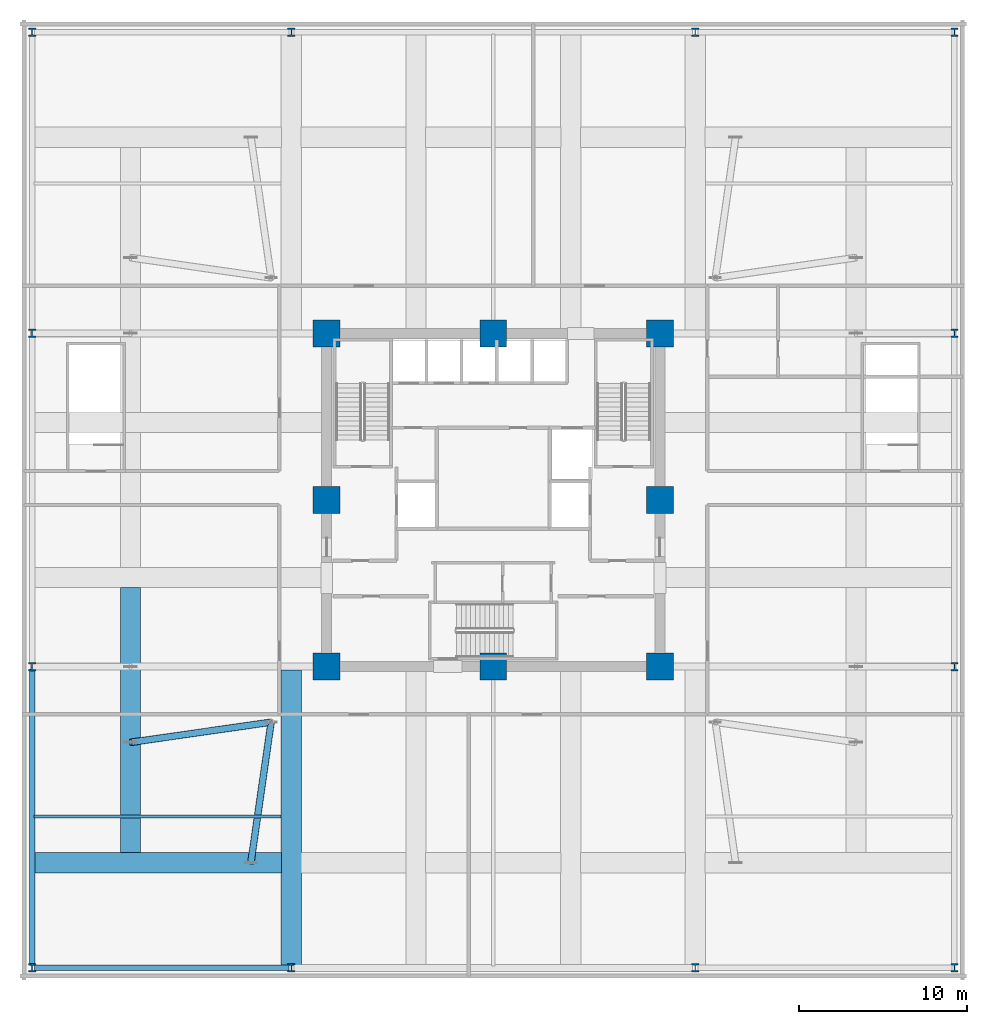
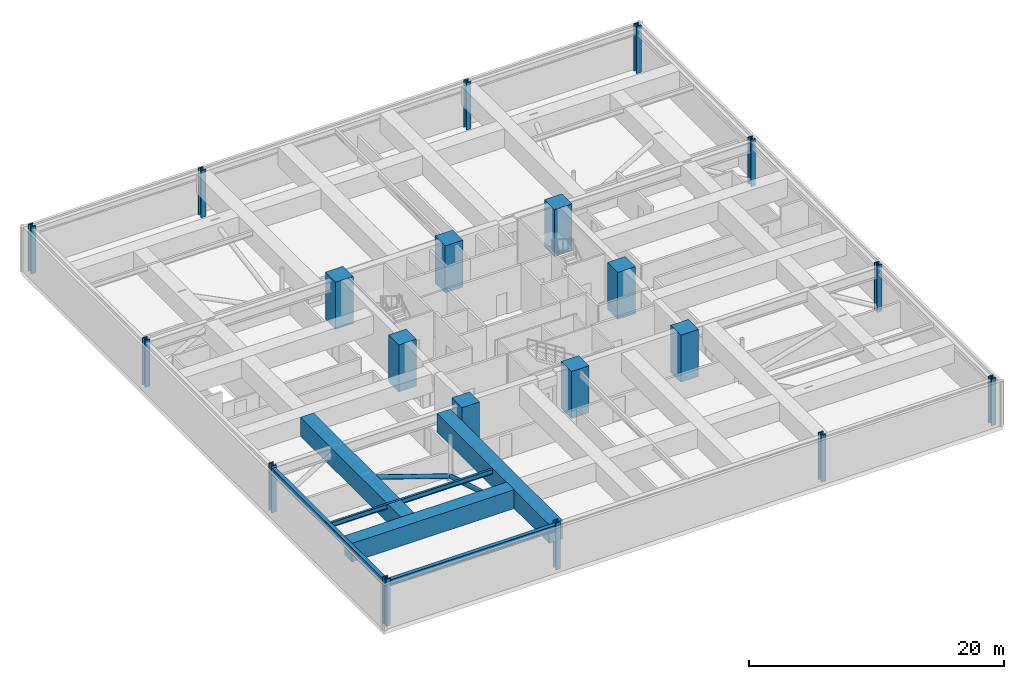
# One storey, part 1 of 16: 20 columns, 6 beams, 2 members.
"""IFC4 building model written with IfcOpenShell, lengths in metres."""

from ifc_helpers import new_model, si_unit, direction, frame, origin, origin_2d, place, context, subcontext, project, spatial, rectangle, hollow_circle, i_section, extrude, material, material_profile, profile_set, type_object, element, save


model = new_model("IFC4")

# Units and contexts
model_context = context("Model", 3, precision=1e-05, world=origin(), true_north=direction((0.0, 1.0)))
body_context = subcontext(model_context, "Body", "Model", "MODEL_VIEW")
ifc_project = project(units=[si_unit("LENGTHUNIT", "METRE"), si_unit("AREAUNIT", "SQUARE_METRE"), si_unit("VOLUMEUNIT", "CUBIC_METRE"), si_unit("PLANEANGLEUNIT", "RADIAN"), si_unit("MASSUNIT", "GRAM", prefix="KILO")], contexts=[model_context])

# Site, building, storey
site_placement = place(None, origin())
site = spatial("IfcSite", under=ifc_project, at=site_placement, CompositionType="ELEMENT")
building_placement = place(site_placement, origin())
building = spatial("IfcBuilding", under=site, at=building_placement, Name="Kolvaren Belvedere", CompositionType="ELEMENT")
storey_placement = place(building_placement, frame((0.0, 0.0, 19.300048828125)))
storey = spatial("IfcBuildingStorey", under=building, at=storey_placement, Name="L05", CompositionType="ELEMENT", Elevation=19.300048828125)

# Columns
ifc_material_1 = material(Name="Concrete C60/75", Category="concrete")
ifc_material_profile_1 = material_profile(ifc_material_1, rectangle(XDim=1.60009765625, YDim=1.60009765625, at=origin_2d()), Name="RC 1600X1600")
ifc_profile_set_1 = profile_set([ifc_material_profile_1], Name="Concrete C60/75")
column_type_1 = type_object("IfcColumnType", Name="COL-RC-1600", PredefinedType="COLUMN", material=ifc_profile_set_1)
for number, where, z_axis, x_axis, name in (
    (1, (-9.89990234375, -9.89990234375, 0.0), (0.0, 0.0, 1.0), (1.0, 0.0, 0.0), "L05 Core Column CC1"),
    (2, (9.89990234375, -9.89990234375, 0.0), (0.0, 0.0, 1.0), (1.0, 0.0, 0.0), "L05 Core Column CC2"),
    (3, (9.89990234375, 9.89990234375, 0.0), (0.0, 0.0, 1.0), (1.0, 0.0, 0.0), "L05 Core Column CC3"),
    (4, (-9.89990234375, 9.89990234375, 0.0), (0.0, 0.0, 1.0), (1.0, 0.0, 0.0), "L05 Core Column CC4"),
    (5, (0.0, -9.89990234375, 0.0), (0.0, 0.0, 1.0), (1.0, 0.0, 0.0), "L05 Core Column CM1"),
    (6, (9.89990234375, 0.0, 0.0), (0.0, 0.0, 1.0), (1.0, 0.0, 0.0), "L05 Core Column CM2"),
    (7, (0.0, 9.89990234375, 0.0), (0.0, 0.0, 1.0), (1.0, 0.0, 0.0), "L05 Core Column CM3"),
    (8, (-9.89990234375, 0.0, 0.0), (0.0, 0.0, 1.0), (1.0, 0.0, 0.0), "L05 Core Column CM4"),
):
    element("IfcColumn", number, at=place(storey_placement, frame(where, z_axis=z_axis, x_axis=x_axis)), inside=storey, type_object=column_type_1, Name=name, PredefinedType="COLUMN", context=body_context, shape_type="SweptSolid", body=[
        extrude(rectangle(XDim=1.60009765625, YDim=1.60009765625, at=origin_2d()), origin(), (0.0, 0.0, 1.0), 4.5),
    ])
ifc_material_2 = material(Name="Structural steel ASTM A992 Grade 50", Category="steel")
ifc_material_profile_2 = material_profile(ifc_material_2, i_section(OverallWidth=0.431884765625, OverallDepth=0.498046875, WebThickness=0.0556640625, FlangeThickness=0.0888671875, FilletRadius=0.02490234375, at=origin_2d()), Name="W14X500")
ifc_profile_set_2 = profile_set([ifc_material_profile_2], Name="Structural steel ASTM A992 Grade 50")
column_type_2 = type_object("IfcColumnType", Name="COL-ST-W14X500", PredefinedType="COLUMN", material=ifc_profile_set_2)
for number, where, z_axis, x_axis, name in (
    (9, (-27.39990234375, -27.800048828125, 0.0), (0.0, 0.0, 1.0), (1.0, 0.0, 0.0), "L05 Podium Mega-Column PA1"),
    (10, (-12.0, -27.800048828125, 0.0), (0.0, 0.0, 1.0), (1.0, 0.0, 0.0), "L05 Podium Mega-Column PA2"),
    (11, (12.0, -27.800048828125, 0.0), (0.0, 0.0, 1.0), (1.0, 0.0, 0.0), "L05 Podium Mega-Column PA3"),
    (12, (27.39990234375, -27.800048828125, 0.0), (0.0, 0.0, 1.0), (1.0, 0.0, 0.0), "L05 Podium Mega-Column PA4"),
    (13, (-27.39990234375, -9.89990234375, 0.0), (0.0, 0.0, 1.0), (1.0, 0.0, 0.0), "L05 Podium Mega-Column PB1"),
    (14, (27.39990234375, -9.89990234375, 0.0), (0.0, 0.0, 1.0), (1.0, 0.0, 0.0), "L05 Podium Mega-Column PB4"),
    (15, (-27.39990234375, 9.89990234375, 0.0), (0.0, 0.0, 1.0), (1.0, 0.0, 0.0), "L05 Podium Mega-Column PC1"),
    (16, (27.39990234375, 9.89990234375, 0.0), (0.0, 0.0, 1.0), (1.0, 0.0, 0.0), "L05 Podium Mega-Column PC4"),
    (17, (-27.39990234375, 27.800048828125, 0.0), (0.0, 0.0, 1.0), (1.0, 0.0, 0.0), "L05 Podium Mega-Column PD1"),
    (18, (-12.0, 27.800048828125, 0.0), (0.0, 0.0, 1.0), (1.0, 0.0, 0.0), "L05 Podium Mega-Column PD2"),
    (19, (12.0, 27.800048828125, 0.0), (0.0, 0.0, 1.0), (1.0, 0.0, 0.0), "L05 Podium Mega-Column PD3"),
    (20, (27.39990234375, 27.800048828125, 0.0), (0.0, 0.0, 1.0), (1.0, 0.0, 0.0), "L05 Podium Mega-Column PD4"),
):
    element("IfcColumn", number, at=place(storey_placement, frame(where, z_axis=z_axis, x_axis=x_axis)), inside=storey, type_object=column_type_2, Name=name, PredefinedType="COLUMN", context=body_context, shape_type="SweptSolid", body=[
        extrude(i_section(OverallWidth=0.431884765625, OverallDepth=0.498046875, WebThickness=0.0556640625, FlangeThickness=0.0888671875, FilletRadius=0.02490234375, at=origin_2d()), origin(), (0.0, 0.0, 1.0), 4.5),
    ])

# Beams
ifc_material_3 = material(Name="Structural steel ASTM A992 Grade 50", Category="steel")
ifc_material_profile_3 = material_profile(ifc_material_3, i_section(OverallWidth=0.19091796875, OverallDepth=0.4599609375, WebThickness=0.010009765625, FlangeThickness=0.01611328125, FilletRadius=0.014892578125, at=origin_2d()), Name="W18X55")
ifc_profile_set_3 = profile_set([ifc_material_profile_3], Name="Structural steel ASTM A992 Grade 50")
beam_type_1 = type_object("IfcBeamType", Name="BM-JOIST-W18X55", PredefinedType="BEAM", material=ifc_profile_set_3)
beam_1_placement = place(storey_placement, frame((-27.280029296875, -18.800048828125, 4.030029296875), z_axis=(1.0, 0.0, 0.0), x_axis=(0.0, 1.0, 0.0)))
element("IfcBeam", 21, at=beam_1_placement, inside=storey, type_object=beam_type_1, Name="L05 West Bay Floor Beam", PredefinedType="BEAM", context=body_context, shape_type="SweptSolid", body=[
    extrude(i_section(OverallWidth=0.19091796875, OverallDepth=0.4599609375, WebThickness=0.010009765625, FlangeThickness=0.01611328125, FilletRadius=0.014892578125, at=origin_2d()), origin(), (0.0, 0.0, 1.0), 14.659912109375),
])
ifc_material_4 = material(Name="Structural steel ASTM A992 Grade 50", Category="steel")
ifc_material_profile_4 = material_profile(ifc_material_4, i_section(OverallWidth=0.324951171875, OverallDepth=0.615966796875, WebThickness=0.013916015625, FlangeThickness=0.021484375, FilletRadius=0.02001953125, at=origin_2d()), Name="W24X117")
ifc_profile_set_4 = profile_set([ifc_material_profile_4], Name="Structural steel ASTM A992 Grade 50")
beam_type_2 = type_object("IfcBeamType", Name="BM-SPAN-W24X117", PredefinedType="SPANDREL", material=ifc_profile_set_4)
beam_2_placement = place(storey_placement, frame((-27.25, -27.800048828125, 3.951904296875), z_axis=(1.0, 0.0, 0.0), x_axis=(0.0, 1.0, 0.0)))
element("IfcBeam", 22, at=beam_2_placement, inside=storey, type_object=beam_type_2, Name="L05 South Podium Spandrel 1", PredefinedType="SPANDREL", context=body_context, shape_type="SweptSolid", body=[
    extrude(i_section(OverallWidth=0.324951171875, OverallDepth=0.615966796875, WebThickness=0.013916015625, FlangeThickness=0.021484375, FilletRadius=0.02001953125, at=origin_2d()), origin(), (0.0, 0.0, 1.0), 15.10009765625),
])
beam_3_placement = place(storey_placement, frame((-27.39990234375, -27.64990234375, 3.951904296875), z_axis=(0.0, 1.0, 0.0), x_axis=(-1.0, 0.0, 0.0)))
element("IfcBeam", 23, at=beam_3_placement, inside=storey, type_object=beam_type_2, Name="L05 W Podium Spandrel 1", PredefinedType="SPANDREL", context=body_context, shape_type="SweptSolid", body=[
    extrude(i_section(OverallWidth=0.324951171875, OverallDepth=0.615966796875, WebThickness=0.013916015625, FlangeThickness=0.021484375, FilletRadius=0.02001953125, at=origin_2d()), origin(), (0.0, 0.0, 1.0), 17.599853515625),
])
ifc_material_5 = material(Name="Concrete C50/60", Category="concrete")
ifc_material_profile_5 = material_profile(ifc_material_5, rectangle(XDim=1.199951171875, YDim=1.800048828125, at=origin_2d()), Name="RC 1200X1800")
ifc_profile_set_5 = profile_set([ifc_material_profile_5], Name="Concrete C50/60")
beam_type_3 = type_object("IfcBeamType", Name="BM-TG-1800", PredefinedType="BEAM", material=ifc_profile_set_5)
beam_4_placement = place(storey_placement, frame((-12.0, -10.10009765625, 3.35986328125), z_axis=(0.0, -1.0, 0.0), x_axis=(1.0, 0.0, 0.0)))
element("IfcBeam", 24, at=beam_4_placement, inside=storey, type_object=beam_type_3, Name="L05 South Secondary Transfer Girder M12", PredefinedType="BEAM", context=body_context, shape_type="SweptSolid", body=[
    extrude(rectangle(XDim=1.199951171875, YDim=1.800048828125, at=origin_2d()), origin(), (0.0, 0.0, 1.0), 17.5498046875),
])
beam_5_placement = place(storey_placement, frame((-27.25, -21.550048828125, 3.35986328125), z_axis=(1.0, 0.0, 0.0), x_axis=(0.0, 1.0, 0.0)))
element("IfcBeam", 25, at=beam_5_placement, inside=storey, type_object=beam_type_3, Name="L05 South Transfer Ring Girder W1", PredefinedType="BEAM", context=body_context, shape_type="SweptSolid", body=[
    extrude(rectangle(XDim=1.199951171875, YDim=1.800048828125, at=origin_2d()), origin(), (0.0, 0.0, 1.0), 14.669921875),
])
beam_6_placement = place(storey_placement, frame((-21.550048828125, -20.949951171875, 3.35986328125), z_axis=(0.0, 1.0, 0.0), x_axis=(-1.0, 0.0, 0.0)))
element("IfcBeam", 26, at=beam_6_placement, inside=storey, type_object=beam_type_3, Name="L05 West Transfer Ring Girder S", PredefinedType="BEAM", context=body_context, shape_type="SweptSolid", body=[
    extrude(rectangle(XDim=1.199951171875, YDim=1.800048828125, at=origin_2d()), origin(), (0.0, 0.0, 1.0), 15.75),
])

# Members
ifc_material_6 = material(Name="Structural steel ASTM A500 Grade C", Category="steel")
ifc_material_profile_6 = material_profile(ifc_material_6, hollow_circle(Radius=0.202880859375, WallThickness=0.01171875, at=origin_2d()), Name="HSS16.000X0.500")
ifc_profile_set_6 = profile_set([ifc_material_profile_6], Name="Structural steel ASTM A500 Grade C")
member_type = type_object("IfcMemberType", Name="MB-TRUSS-DIAG", PredefinedType="BRACE", material=ifc_profile_set_6)
for number, where, z_axis, x_axis, name in (
    (27, (-13.199951171875, -13.199951171875, 0.349853515625), (-0.911949983885, -0.131051814829, 0.388809270365), (0.142243803641, -0.989831652518, 0.0), "L05 Storey-Deep Transfer Truss Diagonal TD-1"),
    (28, (-13.199951171875, -13.199951171875, 0.349853515625), (-0.131051814829, -0.911949983885, 0.388809270365), (0.989831652518, -0.142243803641, 0.0), "L05 Storey-Deep Transfer Truss Diagonal TD-5"),
):
    element("IfcMember", number, at=place(storey_placement, frame(where, z_axis=z_axis, x_axis=x_axis)), inside=storey, type_object=member_type, Name=name, PredefinedType="BRACE", context=body_context, shape_type="SweptSolid", body=[
        extrude(hollow_circle(Radius=0.202880859375, WallThickness=0.01171875, at=origin_2d()), origin(), (0.0, 0.0, 1.0), 9.15625),
    ])

save(model, "model.ifc")
